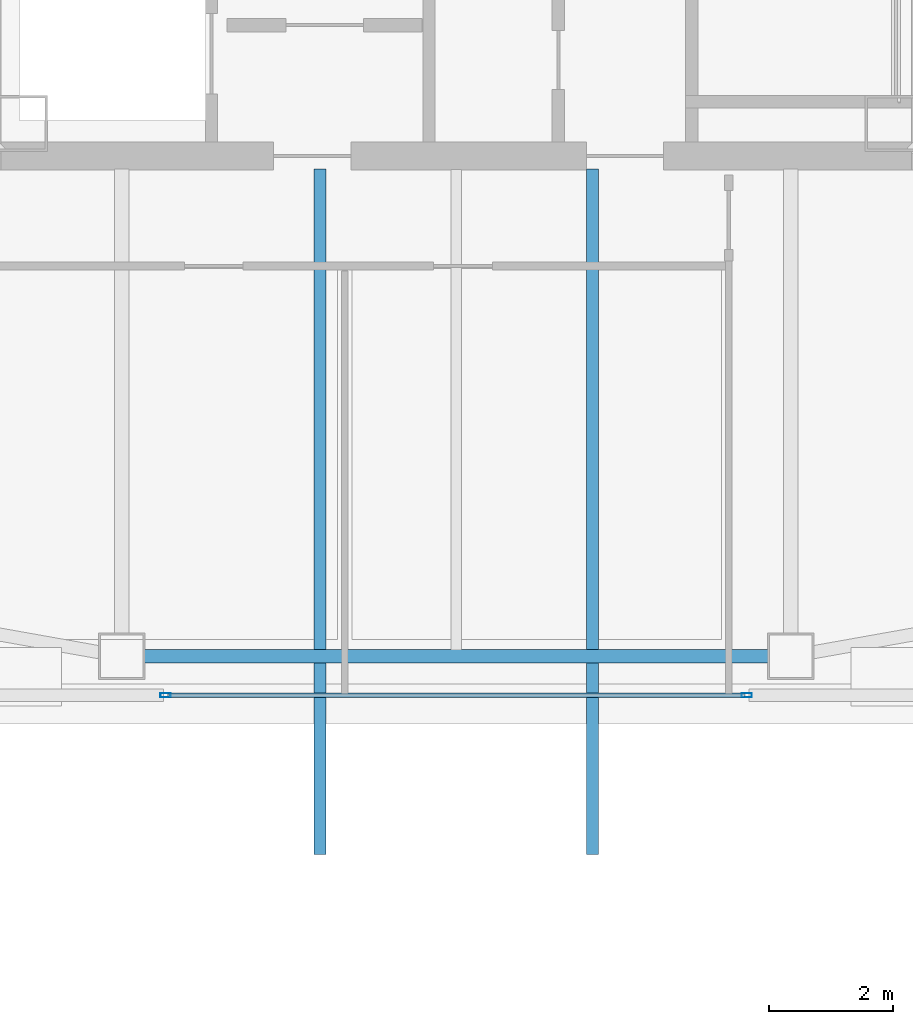
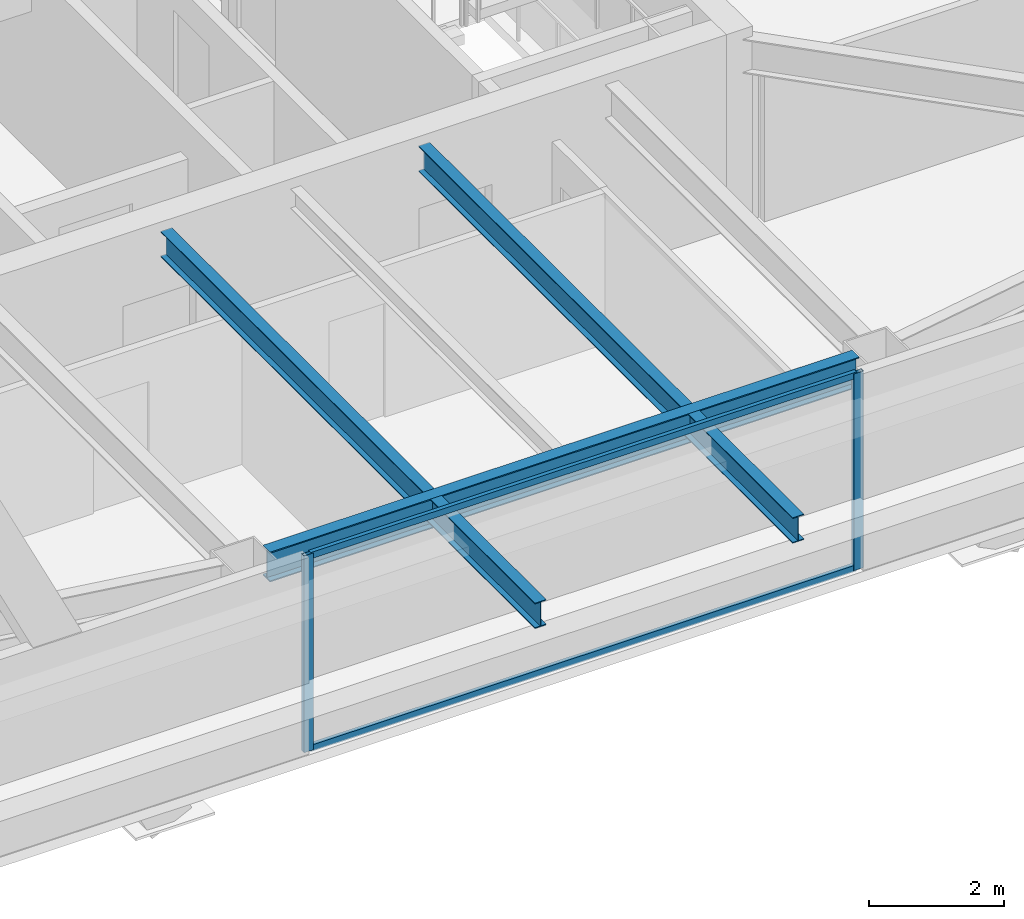
# One storey, part 9 of 56: 4 members, 3 beams, 1 element without a shape of its own.
"""IFC4 building model written with IfcOpenShell, lengths in metres."""

from ifc_helpers import new_model, si_unit, direction, frame, origin, origin_2d, place, context, subcontext, project, spatial, hollow_rectangle, i_section, extrude, material, material_profile, profile_set, type_object, element, aggregate, save


model = new_model("IFC4")

# Units and contexts
model_context = context("Model", 3, precision=1e-05, world=origin(), true_north=direction((0.0, 1.0)))
body_context = subcontext(model_context, "Body", "Model", "MODEL_VIEW")
ifc_project = project(units=[si_unit("LENGTHUNIT", "METRE"), si_unit("AREAUNIT", "SQUARE_METRE"), si_unit("VOLUMEUNIT", "CUBIC_METRE"), si_unit("PLANEANGLEUNIT", "RADIAN"), si_unit("MASSUNIT", "GRAM", prefix="KILO")], contexts=[model_context])

# Site, building, storey
site_placement = place(None, origin())
site = spatial("IfcSite", under=ifc_project, at=site_placement, CompositionType="ELEMENT")
building_placement = place(site_placement, origin())
building = spatial("IfcBuilding", under=site, at=building_placement, Name="Tashvorn Skyway Center", CompositionType="ELEMENT")
storey_placement = place(building_placement, frame((0.0, 0.0, 218.39990234375)))
storey = spatial("IfcBuildingStorey", under=building, at=storey_placement, Name="L59", CompositionType="ELEMENT", Elevation=218.39990234375)

# Beams
ifc_material_1 = material(Name="Steel ASTM A992 Grade 50", Category="steel")
ifc_material_profile_1 = material_profile(ifc_material_1, i_section(OverallWidth=0.19091796875, OverallDepth=0.4599609375, WebThickness=0.010009765625, FlangeThickness=0.01611328125, at=origin_2d()), Name="W18X55")
ifc_profile_set_1 = profile_set([ifc_material_profile_1], Name="Steel ASTM A992 Grade 50")
beam_type_1 = type_object("IfcBeamType", Name="BM-JOIST-W18X55", PredefinedType="JOIST", material=ifc_profile_set_1)
for number, where, z_axis, x_axis, name in (
    (1, (39.800048828125, 24.219970703125, 3.14013671875), (0.0, -1.0, 0.0), (1.0, 0.0, 0.0), "Tower 1 L60 Terrace Cantilever Outlooker 1"),
    (2, (44.199951171875, 24.219970703125, 3.14013671875), (0.0, -1.0, 0.0), (1.0, 0.0, 0.0), "Tower 1 L60 Terrace Cantilever Outlooker 2"),
):
    element("IfcBeam", number, at=place(storey_placement, frame(where, z_axis=z_axis, x_axis=x_axis)), inside=storey, type_object=beam_type_1, Name=name, PredefinedType="JOIST", context=body_context, shape_type="SweptSolid", body=[
        extrude(i_section(OverallWidth=0.19091796875, OverallDepth=0.4599609375, WebThickness=0.010009765625, FlangeThickness=0.01611328125, at=origin_2d()), origin(), (0.0, 0.0, 1.0), 11.070068359375),
    ])
ifc_material_profile_2 = material_profile(ifc_material_1, i_section(OverallWidth=0.2109375, OverallDepth=0.5390625, WebThickness=0.01171875, FlangeThickness=0.018798828125, at=origin_2d()), Name="W21X73")
ifc_profile_set_2 = profile_set([ifc_material_profile_2], Name="Steel ASTM A992 Grade 50")
beam_type_2 = type_object("IfcBeamType", Name="BM-SPANDREL-W21X73", PredefinedType="SPANDREL", material=ifc_profile_set_2)
beam_placement = place(storey_placement, frame((36.969970703125, 16.35009765625, 3.1005859375), z_axis=(1.0, 0.0, 0.0), x_axis=(0.0, 1.0, 0.0)))
element("IfcBeam", 3, at=beam_placement, inside=storey, type_object=beam_type_2, Name="Tower 1 L59 Spandrel Beam 02", PredefinedType="SPANDREL", context=body_context, shape_type="SweptSolid", body=[
    extrude(i_section(OverallWidth=0.2109375, OverallDepth=0.5390625, WebThickness=0.01171875, FlangeThickness=0.018798828125, at=origin_2d()), origin(), (0.0, 0.0, 1.0), 10.06005859375),
])

# Curtain wall, members
ifc_material_2 = material(Name="Thermally broken bronze-anodized aluminium 6063-T6", Category="aluminium")
curtain_wall_type = type_object("IfcCurtainWallType", Name="CW-CW-Z5", PredefinedType="NOTDEFINED", material=ifc_material_2)
curtain_wall_placement = place(storey_placement, origin())
curtain_wall = element("IfcCurtainWall", 4, at=curtain_wall_placement, inside=storey, type_object=curtain_wall_type, Name="Tower 1 L59 South Unitised Curtain Wall Glazing Group 2", PredefinedType="NOTDEFINED")
ifc_material_profile_3 = material_profile(ifc_material_2, hollow_rectangle(XDim=0.070068359375, YDim=0.1650390625, WallThickness=0.00390625, at=origin_2d()), Name="ALU-MULL-70x165")
ifc_profile_set_3 = profile_set([ifc_material_profile_3], Name="Thermally broken bronze-anodized aluminium 6063-T6")
member_type_1 = type_object("IfcMemberType", Name="CWM-CW-Z5", PredefinedType="MULLION", material=ifc_profile_set_3)
member_1_placement = place(storey_placement, frame((46.691650390625, 15.719970703125, 0.0), z_axis=(0.0, 0.0, 1.0), x_axis=(0.0, -1.0, 0.0)))
member_1 = element("IfcMember", 5, at=member_1_placement, type_object=member_type_1, Name="CW-Z5 mullion 1", PredefinedType="MULLION", context=body_context, shape_type="SweptSolid", body=[
    extrude(hollow_rectangle(XDim=0.070068359375, YDim=0.1650390625, WallThickness=0.00390625, at=origin_2d()), origin(), (0.0, 0.0, 1.0), 3.550048828125),
])
member_2_placement = place(storey_placement, frame((37.308349609375, 15.719970703125, 0.0), z_axis=(0.0, 0.0, 1.0), x_axis=(0.0, -1.0, 0.0)))
member_2 = element("IfcMember", 6, at=member_2_placement, type_object=member_type_1, Name="CW-Z5 mullion 2", PredefinedType="MULLION", context=body_context, shape_type="SweptSolid", body=[
    extrude(hollow_rectangle(XDim=0.070068359375, YDim=0.1650390625, WallThickness=0.00390625, at=origin_2d()), origin(), (0.0, 0.0, 1.0), 3.550048828125),
])
ifc_material_profile_4 = material_profile(ifc_material_2, hollow_rectangle(XDim=0.070068359375, YDim=0.114990234375, WallThickness=0.00390625, at=origin_2d()), Name="ALU-TRAN-70x115")
ifc_profile_set_4 = profile_set([ifc_material_profile_4], Name="Thermally broken bronze-anodized aluminium 6063-T6")
member_type_2 = type_object("IfcMemberType", Name="CWT-CW-Z5", PredefinedType="USERDEFINED", material=ifc_profile_set_4)
member_3_placement = place(storey_placement, frame((46.65673828125, 15.719970703125, 0.03515625), z_axis=(-1.0, 0.0, 0.0), x_axis=(0.0, -1.0, 0.0)))
member_3 = element("IfcMember", 7, at=member_3_placement, type_object=member_type_2, Name="CW-Z5 transom 1.1", ObjectType="TRANSOM", PredefinedType="USERDEFINED", context=body_context, shape_type="SweptSolid", body=[
    extrude(hollow_rectangle(XDim=0.070068359375, YDim=0.114990234375, WallThickness=0.00390625, at=origin_2d()), origin(), (0.0, 0.0, 1.0), 9.3134765625),
])
member_4_placement = place(storey_placement, frame((46.65673828125, 15.719970703125, 3.51513671875), z_axis=(-1.0, 0.0, 0.0), x_axis=(0.0, -1.0, 0.0)))
member_4 = element("IfcMember", 8, at=member_4_placement, type_object=member_type_2, Name="CW-Z5 transom 1.2", ObjectType="TRANSOM", PredefinedType="USERDEFINED", context=body_context, shape_type="SweptSolid", body=[
    extrude(hollow_rectangle(XDim=0.070068359375, YDim=0.114990234375, WallThickness=0.00390625, at=origin_2d()), origin(), (0.0, 0.0, 1.0), 9.3134765625),
])
aggregate(curtain_wall, [member_1, member_2, member_3, member_4])

save(model, "model.ifc")
